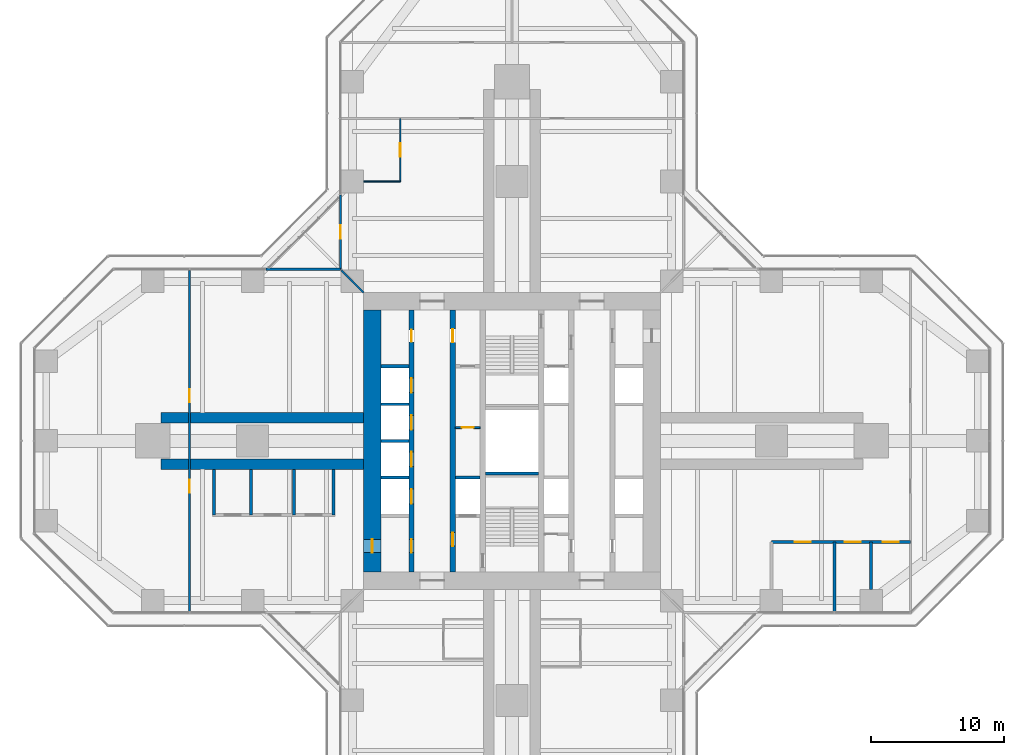
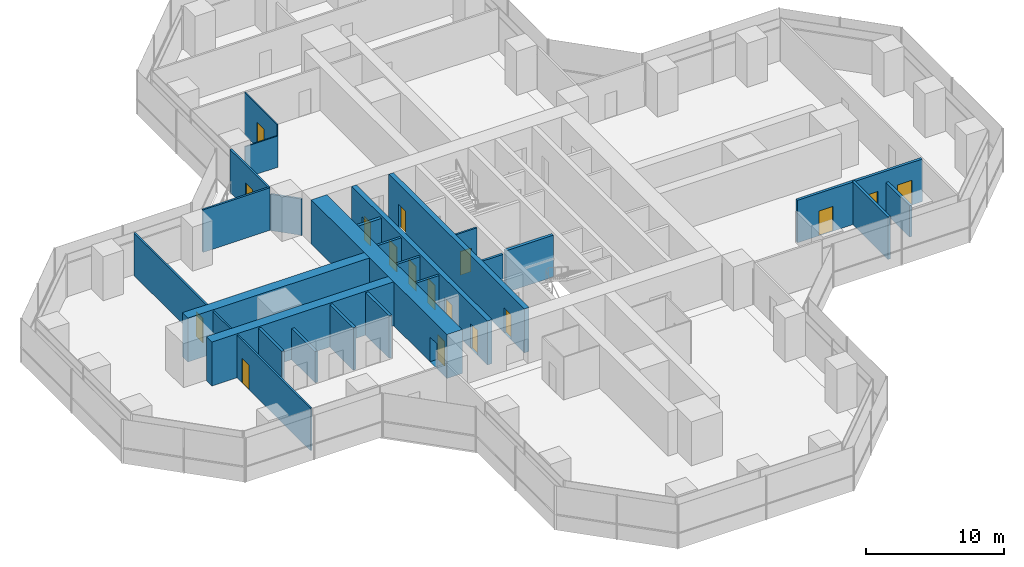
# One storey, part 18 of 22: 25 walls, 17 doors, 17 openings.
"""IFC4 building model written with IfcOpenShell, lengths in metres."""

from ifc_helpers import new_model, si_unit, direction, frame, frame_2d, origin, place, context, subcontext, project, spatial, rectangle, extrude, material, layer, layer_set, type_object, element, fill, save


model = new_model("IFC4")

# Units and contexts
model_context = context("Model", 3, precision=1e-05, world=origin(), true_north=direction((0.0, 1.0)))
body_context = subcontext(model_context, "Body", "Model", "MODEL_VIEW")
ifc_project = project(units=[si_unit("LENGTHUNIT", "METRE"), si_unit("AREAUNIT", "SQUARE_METRE"), si_unit("VOLUMEUNIT", "CUBIC_METRE"), si_unit("PLANEANGLEUNIT", "RADIAN"), si_unit("MASSUNIT", "GRAM", prefix="KILO")], contexts=[model_context])

# Site, building, storey
site_placement = place(None, origin())
site = spatial("IfcSite", under=ifc_project, at=site_placement, CompositionType="ELEMENT")
building_placement = place(site_placement, origin())
building = spatial("IfcBuilding", under=site, at=building_placement, Name="Mizan Broadcast Tower", CompositionType="ELEMENT")
storey_placement = place(building_placement, frame((0.0, 0.0, 43.5)))
storey = spatial("IfcBuildingStorey", under=building, at=storey_placement, Name="L07", CompositionType="ELEMENT", Elevation=43.5)

# Wall, openings, doors
ifc_material_1 = material(Name="Concrete C70/85", Category="concrete")
ifc_layer_1 = layer(ifc_material_1, 0.39990234375)
ifc_layer_set_1 = layer_set([ifc_layer_1], Name="Concrete C70/85")
wall_type_1 = type_object("IfcWallType", Name="CORE INTERNAL WALL 400", PredefinedType="SHEAR", material=ifc_layer_set_1)
wall_1_placement = place(storey_placement, frame((-7.550048828125, -9.85009765625, 0.0), z_axis=(0.0, 0.0, 1.0), x_axis=(0.0, 1.0, 0.0)))
wall_1 = element("IfcWall", 1, at=wall_1_placement, inside=storey, type_object=wall_type_1, Name="Core wall CORE/XW1", PredefinedType="SHEAR", context=body_context, shape_type="SweptSolid", body=[
    extrude(rectangle(XDim=19.7001953125, YDim=0.39990234375, at=frame_2d((9.85009765625, 0.0))), origin(), (0.0, 0.0, 1.0), 3.89990234375),
])
opening_1_placement = place(wall_1_placement, frame((1.449951171875, 0.0, 0.0)))
opening_1 = element("IfcOpeningElement", 2, at=opening_1_placement, cuts=wall_1, Name="Opening D10F", PredefinedType="OPENING", context=body_context, shape_type="SweptSolid", body=[
    extrude(rectangle(XDim=1.0, YDim=2.199951171875, at=frame_2d((0.5, 1.10009765625))), frame((0.0, 0.2099609375, 0.0), z_axis=(0.0, -1.0, 0.0), x_axis=(1.0, 0.0, 0.0)), (0.0, 0.0, 1.0), 0.419921875),
])
opening_2_placement = place(wall_1_placement, frame((17.300048828125, 0.0, 0.0)))
opening_2 = element("IfcOpeningElement", 3, at=opening_2_placement, cuts=wall_1, Name="Opening D09", PredefinedType="OPENING", context=body_context, shape_type="SweptSolid", body=[
    extrude(rectangle(XDim=0.89990234375, YDim=2.10009765625, at=frame_2d((0.449951171875, 1.050048828125))), frame((0.0, 0.2099609375, 0.0), z_axis=(0.0, -1.0, 0.0), x_axis=(1.0, 0.0, 0.0)), (0.0, 0.0, 1.0), 0.419921875),
])
opening_3_placement = place(wall_1_placement, frame((5.125, 0.0, 0.0)))
opening_3 = element("IfcOpeningElement", 4, at=opening_3_placement, cuts=wall_1, Name="Opening LD", PredefinedType="OPENING", context=body_context, shape_type="SweptSolid", body=[
    extrude(rectangle(XDim=1.10009765625, YDim=2.199951171875, at=frame_2d((0.550048828125, 1.10009765625))), frame((0.0, 0.2099609375, 0.0), z_axis=(0.0, -1.0, 0.0), x_axis=(1.0, 0.0, 0.0)), (0.0, 0.0, 1.0), 0.419921875),
])
opening_4_placement = place(wall_1_placement, frame((7.925048828125, 0.0, 0.0)))
opening_4 = element("IfcOpeningElement", 5, at=opening_4_placement, cuts=wall_1, Name="Opening LD", PredefinedType="OPENING", context=body_context, shape_type="SweptSolid", body=[
    extrude(rectangle(XDim=1.10009765625, YDim=2.199951171875, at=frame_2d((0.550048828125, 1.10009765625))), frame((0.0, 0.2099609375, 0.0), z_axis=(0.0, -1.0, 0.0), x_axis=(1.0, 0.0, 0.0)), (0.0, 0.0, 1.0), 0.419921875),
])
opening_5_placement = place(wall_1_placement, frame((10.675048828125, 0.0, 0.0)))
opening_5 = element("IfcOpeningElement", 6, at=opening_5_placement, cuts=wall_1, Name="Opening LD", PredefinedType="OPENING", context=body_context, shape_type="SweptSolid", body=[
    extrude(rectangle(XDim=1.10009765625, YDim=2.199951171875, at=frame_2d((0.550048828125, 1.10009765625))), frame((0.0, 0.2099609375, 0.0), z_axis=(0.0, -1.0, 0.0), x_axis=(1.0, 0.0, 0.0)), (0.0, 0.0, 1.0), 0.419921875),
])
opening_6_placement = place(wall_1_placement, frame((13.47509765625, 0.0, 0.0)))
opening_6 = element("IfcOpeningElement", 7, at=opening_6_placement, cuts=wall_1, Name="Opening LD", PredefinedType="OPENING", context=body_context, shape_type="SweptSolid", body=[
    extrude(rectangle(XDim=1.10009765625, YDim=2.199951171875, at=frame_2d((0.550048828125, 1.10009765625))), frame((0.0, 0.2099609375, 0.0), z_axis=(0.0, -1.0, 0.0), x_axis=(1.0, 0.0, 0.0)), (0.0, 0.0, 1.0), 0.419921875),
])
ifc_material_2 = material(Name="Steel door leaf in steel frame", Category="steel")
door_type_1 = type_object("IfcDoorType", Name="FIRE DOOR 1000 FD90", OperationType="SINGLE_SWING_LEFT", PredefinedType="DOOR", material=ifc_material_2)
door_1_placement = place(opening_1_placement, origin())
door_1 = element("IfcDoor", 8, at=door_1_placement, inside=storey, type_object=door_type_1, Name="West core passage door", OperationType="SINGLE_SWING_LEFT", OverallHeight=2.199951171875, OverallWidth=1.0, PredefinedType="DOOR", context=body_context, shape_type="SweptSolid", body=[
    extrude(rectangle(XDim=1.0, YDim=2.199951171875, at=frame_2d((0.5, 1.10009765625))), frame((0.0, 0.02490234375, 0.0), z_axis=(0.0, -1.0, 0.0), x_axis=(1.0, 0.0, 0.0)), (0.0, 0.0, 1.0), 0.050048828125),
])
fill(opening_1, door_1)
ifc_material_3 = material(Name="Steel door leaf in steel frame", Category="steel")
door_type_2 = type_object("IfcDoorType", Name="LIFT LANDING DOOR 1100", OperationType="SLIDING_TO_LEFT", PredefinedType="DOOR", material=ifc_material_3)
door_2_placement = place(opening_3_placement, origin())
door_2 = element("IfcDoor", 9, at=door_2_placement, inside=storey, type_object=door_type_2, Name="Landing door LA1", OperationType="SLIDING_TO_LEFT", OverallHeight=2.199951171875, OverallWidth=1.10009765625, PredefinedType="DOOR", context=body_context, shape_type="SweptSolid", body=[
    extrude(rectangle(XDim=1.10009765625, YDim=2.199951171875, at=frame_2d((0.550048828125, 1.10009765625))), frame((0.0, 0.02490234375, 0.0), z_axis=(0.0, -1.0, 0.0), x_axis=(1.0, 0.0, 0.0)), (0.0, 0.0, 1.0), 0.050048828125),
])
fill(opening_3, door_2)
door_3_placement = place(opening_4_placement, origin())
door_3 = element("IfcDoor", 10, at=door_3_placement, inside=storey, type_object=door_type_2, Name="Landing door LA2", OperationType="SLIDING_TO_LEFT", OverallHeight=2.199951171875, OverallWidth=1.10009765625, PredefinedType="DOOR", context=body_context, shape_type="SweptSolid", body=[
    extrude(rectangle(XDim=1.10009765625, YDim=2.199951171875, at=frame_2d((0.550048828125, 1.10009765625))), frame((0.0, 0.02490234375, 0.0), z_axis=(0.0, -1.0, 0.0), x_axis=(1.0, 0.0, 0.0)), (0.0, 0.0, 1.0), 0.050048828125),
])
fill(opening_4, door_3)
door_4_placement = place(opening_5_placement, origin())
door_4 = element("IfcDoor", 11, at=door_4_placement, inside=storey, type_object=door_type_2, Name="Landing door LA3", OperationType="SLIDING_TO_LEFT", OverallHeight=2.199951171875, OverallWidth=1.10009765625, PredefinedType="DOOR", context=body_context, shape_type="SweptSolid", body=[
    extrude(rectangle(XDim=1.10009765625, YDim=2.199951171875, at=frame_2d((0.550048828125, 1.10009765625))), frame((0.0, 0.02490234375, 0.0), z_axis=(0.0, -1.0, 0.0), x_axis=(1.0, 0.0, 0.0)), (0.0, 0.0, 1.0), 0.050048828125),
])
fill(opening_5, door_4)
door_5_placement = place(opening_6_placement, origin())
door_5 = element("IfcDoor", 12, at=door_5_placement, inside=storey, type_object=door_type_2, Name="Landing door LA4", OperationType="SLIDING_TO_LEFT", OverallHeight=2.199951171875, OverallWidth=1.10009765625, PredefinedType="DOOR", context=body_context, shape_type="SweptSolid", body=[
    extrude(rectangle(XDim=1.10009765625, YDim=2.199951171875, at=frame_2d((0.550048828125, 1.10009765625))), frame((0.0, 0.02490234375, 0.0), z_axis=(0.0, -1.0, 0.0), x_axis=(1.0, 0.0, 0.0)), (0.0, 0.0, 1.0), 0.050048828125),
])
fill(opening_6, door_5)
ifc_material_4 = material(Name="Timber door leaf in aluminium frame", Category="wood")
door_type_3 = type_object("IfcDoorType", Name="TOILET DOOR 900", OperationType="SINGLE_SWING_LEFT", PredefinedType="DOOR", material=ifc_material_4)
door_6_placement = place(opening_2_placement, origin())
door_6 = element("IfcDoor", 13, at=door_6_placement, inside=storey, type_object=door_type_3, Name="Male WC door", OperationType="SINGLE_SWING_RIGHT", OverallHeight=2.10009765625, OverallWidth=0.89990234375, PredefinedType="DOOR", context=body_context, shape_type="SweptSolid", body=[
    extrude(rectangle(XDim=0.89990234375, YDim=2.10009765625, at=frame_2d((0.449951171875, 1.050048828125))), frame((0.0, 0.02490234375, 0.0), z_axis=(0.0, -1.0, 0.0), x_axis=(1.0, 0.0, 0.0)), (0.0, 0.0, 1.0), 0.050048828125),
])
fill(opening_2, door_6)

wall_2_placement = place(storey_placement, frame((-4.449951171875, -9.85009765625, 0.0), z_axis=(0.0, 0.0, 1.0), x_axis=(0.0, 1.0, 0.0)))
wall_2 = element("IfcWall", 14, at=wall_2_placement, inside=storey, type_object=wall_type_1, Name="Core wall CORE/XWH", PredefinedType="SHEAR", context=body_context, shape_type="SweptSolid", body=[
    extrude(rectangle(XDim=19.7001953125, YDim=0.39990234375, at=frame_2d((9.85009765625, 0.0))), origin(), (0.0, 0.0, 1.0), 3.89990234375),
])
opening_7_placement = place(wall_2_placement, frame((1.949951171875, 0.0, 0.0)))
opening_7 = element("IfcOpeningElement", 15, at=opening_7_placement, cuts=wall_2, Name="Opening D10F", PredefinedType="OPENING", context=body_context, shape_type="SweptSolid", body=[
    extrude(rectangle(XDim=1.0, YDim=2.199951171875, at=frame_2d((0.5, 1.10009765625))), frame((0.0, 0.2099609375, 0.0), z_axis=(0.0, -1.0, 0.0), x_axis=(1.0, 0.0, 0.0)), (0.0, 0.0, 1.0), 0.419921875),
])
opening_8_placement = place(wall_2_placement, frame((17.25, 0.0, 0.0)))
opening_8 = element("IfcOpeningElement", 16, at=opening_8_placement, cuts=wall_2, Name="Opening D10A", PredefinedType="OPENING", context=body_context, shape_type="SweptSolid", body=[
    extrude(rectangle(XDim=1.0, YDim=2.10009765625, at=frame_2d((0.5, 1.050048828125))), frame((0.0, 0.2099609375, 0.0), z_axis=(0.0, -1.0, 0.0), x_axis=(1.0, 0.0, 0.0)), (0.0, 0.0, 1.0), 0.419921875),
])
ifc_material_5 = material(Name="Timber door leaf in aluminium frame", Category="wood")
door_type_4 = type_object("IfcDoorType", Name="ACCESSIBLE WC DOOR 1000", OperationType="SLIDING_TO_LEFT", PredefinedType="DOOR", material=ifc_material_5)
door_7_placement = place(opening_8_placement, origin())
door_7 = element("IfcDoor", 17, at=door_7_placement, inside=storey, type_object=door_type_4, Name="Accessible WC door", OperationType="SLIDING_TO_LEFT", OverallHeight=2.10009765625, OverallWidth=1.0, PredefinedType="DOOR", context=body_context, shape_type="SweptSolid", body=[
    extrude(rectangle(XDim=1.0, YDim=2.10009765625, at=frame_2d((0.5, 1.050048828125))), frame((0.0, 0.02490234375, 0.0), z_axis=(0.0, -1.0, 0.0), x_axis=(1.0, 0.0, 0.0)), (0.0, 0.0, 1.0), 0.050048828125),
])
fill(opening_8, door_7)
door_8_placement = place(opening_7_placement, origin())
door_8 = element("IfcDoor", 18, at=door_8_placement, inside=storey, type_object=door_type_1, Name="Firefighting lobby A door", OperationType="SINGLE_SWING_LEFT", OverallHeight=2.199951171875, OverallWidth=1.0, PredefinedType="DOOR", context=body_context, shape_type="SweptSolid", body=[
    extrude(rectangle(XDim=1.0, YDim=2.199951171875, at=frame_2d((0.5, 1.10009765625))), frame((0.0, 0.02490234375, 0.0), z_axis=(0.0, -1.0, 0.0), x_axis=(1.0, 0.0, 0.0)), (0.0, 0.0, 1.0), 0.050048828125),
])
fill(opening_7, door_8)

# Wall, opening, door
ifc_material_6 = material(Name="Concrete blockwork", Category="masonry")
ifc_layer_2 = layer(ifc_material_6, 0.14990234375)
ifc_layer_set_2 = layer_set([ifc_layer_2], Name="Concrete blockwork")
wall_type_2 = type_object("IfcWallType", Name="CORE PARTITION 150", PredefinedType="SOLIDWALL", material=ifc_layer_set_2)
wall_3_placement = place(storey_placement, frame((-4.25, 1.0, 0.0), z_axis=(0.0, 0.0, 1.0), x_axis=(1.0, 0.0, 0.0)))
wall_3 = element("IfcWall", 19, at=wall_3_placement, inside=storey, type_object=wall_type_2, Name="Core partition CORE/XP2", PredefinedType="SOLIDWALL", context=body_context, shape_type="SweptSolid", body=[
    extrude(rectangle(XDim=1.85009765625, YDim=0.14990234375, at=frame_2d((0.925048828125, 0.0))), origin(), (0.0, 0.0, 1.0), 3.77001953125),
])
opening_9_placement = place(wall_3_placement, frame((0.47509765625, 0.0, 0.0)))
opening_9 = element("IfcOpeningElement", 20, at=opening_9_placement, cuts=wall_3, Name="Opening D09F", PredefinedType="OPENING", context=body_context, shape_type="SweptSolid", body=[
    extrude(rectangle(XDim=0.89990234375, YDim=2.10009765625, at=frame_2d((0.449951171875, 1.050048828125))), frame((0.0, 0.0849609375, 0.0), z_axis=(0.0, -1.0, 0.0), x_axis=(1.0, 0.0, 0.0)), (0.0, 0.0, 1.0), 0.169921875),
])
ifc_material_7 = material(Name="Steel door leaf in steel frame", Category="steel")
door_type_5 = type_object("IfcDoorType", Name="CORE ROOM DOOR 900 FD90", OperationType="SINGLE_SWING_LEFT", PredefinedType="DOOR", material=ifc_material_7)
door_9_placement = place(opening_9_placement, origin())
door_9 = element("IfcDoor", 21, at=door_9_placement, inside=storey, type_object=door_type_5, Name="Staff shower room door", OperationType="SINGLE_SWING_RIGHT", OverallHeight=2.10009765625, OverallWidth=0.89990234375, PredefinedType="DOOR", context=body_context, shape_type="SweptSolid", body=[
    extrude(rectangle(XDim=0.89990234375, YDim=2.10009765625, at=frame_2d((0.449951171875, 1.050048828125))), frame((0.0, 0.02490234375, 0.0), z_axis=(0.0, -1.0, 0.0), x_axis=(1.0, 0.0, 0.0)), (0.0, 0.0, 1.0), 0.050048828125),
])
fill(opening_9, door_9)

ifc_material_8 = material(Name="Concrete C70/85", Category="concrete")
ifc_layer_3 = layer(ifc_material_8, 1.300048828125)
ifc_layer_set_3 = layer_set([ifc_layer_3], Name="Concrete C70/85")
wall_type_3 = type_object("IfcWallType", Name="CORE WALL 1300", PredefinedType="SHEAR", material=ifc_layer_set_3)
wall_4_placement = place(storey_placement, frame((-10.5, 9.85009765625, 0.0), z_axis=(0.0, 0.0, 1.0), x_axis=(0.0, -1.0, 0.0)))
wall_4 = element("IfcWall", 22, at=wall_4_placement, inside=storey, type_object=wall_type_3, Name="Core wall W L07", PredefinedType="SHEAR", context=body_context, shape_type="SweptSolid", body=[
    extrude(rectangle(XDim=19.7001953125, YDim=1.300048828125, at=frame_2d((9.85009765625, 0.0))), origin(), (0.0, 0.0, 1.0), 3.89990234375),
])
opening_10_placement = place(wall_4_placement, frame((17.25, 0.0, 0.0)))
opening_10 = element("IfcOpeningElement", 23, at=opening_10_placement, cuts=wall_4, Name="Opening D10F", PredefinedType="OPENING", context=body_context, shape_type="SweptSolid", body=[
    extrude(rectangle(XDim=1.0, YDim=2.199951171875, at=frame_2d((0.5, 1.10009765625))), frame((0.0, 0.659912109375, 0.0), z_axis=(0.0, -1.0, 0.0), x_axis=(1.0, 0.0, 0.0)), (0.0, 0.0, 1.0), 1.320068359375),
])
door_10_placement = place(opening_10_placement, origin())
door_10 = element("IfcDoor", 24, at=door_10_placement, inside=storey, type_object=door_type_1, Name="West core passage arm door", OperationType="SINGLE_SWING_RIGHT", OverallHeight=2.199951171875, OverallWidth=1.0, PredefinedType="DOOR", context=body_context, shape_type="SweptSolid", body=[
    extrude(rectangle(XDim=1.0, YDim=2.199951171875, at=frame_2d((0.5, 1.10009765625))), frame((0.0, 0.02490234375, 0.0), z_axis=(0.0, -1.0, 0.0), x_axis=(1.0, 0.0, 0.0)), (0.0, 0.0, 1.0), 0.050048828125),
])
fill(opening_10, door_10)

ifc_material_9 = material(Name="Aluminium framed glazed screen", Category="aluminium")
ifc_layer_4 = layer(ifc_material_9, 0.159912109375)
ifc_layer_set_4 = layer_set([ifc_layer_4], Name="Aluminium framed glazed screen")
wall_type_4 = type_object("IfcWallType", Name="GLAZED SCREEN WALL 160", PredefinedType="SOLIDWALL", material=ifc_layer_set_4)
wall_5_placement = place(storey_placement, frame((-12.89990234375, 18.5, 0.0), z_axis=(0.0, 0.0, 1.0), x_axis=(0.0, -1.0, 0.0)))
wall_5 = element("IfcWall", 25, at=wall_5_placement, inside=storey, type_object=wall_type_4, Name="Winter garden screen L07 N", PredefinedType="SOLIDWALL", context=body_context, shape_type="SweptSolid", body=[
    extrude(rectangle(XDim=5.60009765625, YDim=0.159912109375, at=frame_2d((2.800048828125, 0.0))), origin(), (0.0, 0.0, 1.0), 3.77001953125),
])
opening_11_placement = place(wall_5_placement, frame((2.300048828125, 0.0, 0.0)))
opening_11 = element("IfcOpeningElement", 26, at=opening_11_placement, cuts=wall_5, Name="Opening WGD", PredefinedType="OPENING", context=body_context, shape_type="SweptSolid", body=[
    extrude(rectangle(XDim=1.0, YDim=2.199951171875, at=frame_2d((0.5, 1.10009765625))), frame((0.0, 0.08984375, 0.0), z_axis=(0.0, -1.0, 0.0), x_axis=(1.0, 0.0, 0.0)), (0.0, 0.0, 1.0), 0.179931640625),
])
ifc_material_10 = material(Name="Aluminium framed glazed door", Category="aluminium")
door_type_6 = type_object("IfcDoorType", Name="WINTER GARDEN DOOR 1000 GLAZED", OperationType="SINGLE_SWING_LEFT", PredefinedType="DOOR", material=ifc_material_10)
door_11_placement = place(opening_11_placement, origin())
door_11 = element("IfcDoor", 27, at=door_11_placement, inside=storey, type_object=door_type_6, Name="Winter garden door L07 N", OperationType="SINGLE_SWING_RIGHT", OverallHeight=2.199951171875, OverallWidth=1.0, PredefinedType="DOOR", context=body_context, shape_type="SweptSolid", body=[
    extrude(rectangle(XDim=1.0, YDim=2.199951171875, at=frame_2d((0.5, 1.10009765625))), frame((0.0, 0.02490234375, 0.0), z_axis=(0.0, -1.0, 0.0), x_axis=(1.0, 0.0, 0.0)), (0.0, 0.0, 1.0), 0.050048828125),
])
fill(opening_11, door_11)

# Walls
wall_6_placement = place(storey_placement, frame((-12.89990234375, 12.89990234375, 0.0), z_axis=(0.0, 0.0, 1.0), x_axis=(-1.0, 0.0, 0.0)))
element("IfcWall", 28, at=wall_6_placement, inside=storey, type_object=wall_type_4, Name="Winter garden screen L07 W", PredefinedType="SOLIDWALL", context=body_context, shape_type="SweptSolid", body=[
    extrude(rectangle(XDim=5.60009765625, YDim=0.159912109375, at=frame_2d((2.800048828125, 0.0))), origin(), (0.0, 0.0, 1.0), 3.77001953125),
])
ifc_material_11 = material(Name="Concrete blockwork", Category="masonry")
ifc_layer_5 = layer(ifc_material_11, 0.199951171875)
ifc_layer_set_5 = layer_set([ifc_layer_5], Name="Concrete blockwork")
wall_type_5 = type_object("IfcWallType", Name="LIFT SHAFT WALL 200", PredefinedType="SOLIDWALL", material=ifc_layer_set_5)
wall_7_placement = place(storey_placement, frame((-9.85009765625, -2.75, 0.0), z_axis=(0.0, 0.0, 1.0), x_axis=(1.0, 0.0, 0.0)))
element("IfcWall", 29, at=wall_7_placement, inside=storey, type_object=wall_type_5, Name="Lift shaft wall CORE/SW1-1", PredefinedType="SOLIDWALL", context=body_context, shape_type="SweptSolid", body=[
    extrude(rectangle(XDim=2.10009765625, YDim=0.199951171875, at=frame_2d((1.050048828125, 0.0))), origin(), (0.0, 0.0, 1.0), 3.699951171875),
])
wall_8_placement = place(storey_placement, frame((-4.25, -2.75, 0.0), z_axis=(0.0, 0.0, 1.0), x_axis=(1.0, 0.0, 0.0)))
element("IfcWall", 30, at=wall_8_placement, inside=storey, type_object=wall_type_5, Name="Lift shaft wall CORE/SW2-1", PredefinedType="SOLIDWALL", context=body_context, shape_type="SweptSolid", body=[
    extrude(rectangle(XDim=1.85009765625, YDim=0.199951171875, at=frame_2d((0.925048828125, 0.0))), origin(), (0.0, 0.0, 1.0), 3.699951171875),
])
for number, where, z_axis, x_axis, name in (
    (31, (-9.85009765625, 0.0, 0.0), (0.0, 0.0, 1.0), (1.0, 0.0, 0.0), "Lift shaft wall CORE/SW1-2"),
    (32, (-9.85009765625, 2.75, 0.0), (0.0, 0.0, 1.0), (1.0, 0.0, 0.0), "Lift shaft wall CORE/SW1-3"),
):
    element("IfcWall", number, at=place(storey_placement, frame(where, z_axis=z_axis, x_axis=x_axis)), inside=storey, type_object=wall_type_5, Name=name, PredefinedType="SOLIDWALL", context=body_context, shape_type="SweptSolid", body=[
        extrude(rectangle(XDim=2.10009765625, YDim=0.199951171875, at=frame_2d((1.050048828125, 0.0))), origin(), (0.0, 0.0, 1.0), 3.699951171875),
    ])
ifc_material_12 = material(Name="Concrete blockwork", Category="masonry")
ifc_layer_6 = layer(ifc_material_12, 0.25)
ifc_layer_set_6 = layer_set([ifc_layer_6], Name="Concrete blockwork")
wall_type_6 = type_object("IfcWallType", Name="LOBBY ENCLOSURE WALL 250", PredefinedType="SOLIDWALL", material=ifc_layer_set_6)
wall_9_placement = place(storey_placement, frame((-9.85009765625, 5.625, 0.0), z_axis=(0.0, 0.0, 1.0), x_axis=(1.0, 0.0, 0.0)))
element("IfcWall", 33, at=wall_9_placement, inside=storey, type_object=wall_type_6, Name="Lobby enclosure wall CORE/BW1N", PredefinedType="SOLIDWALL", context=body_context, shape_type="SweptSolid", body=[
    extrude(rectangle(XDim=2.10009765625, YDim=0.25, at=frame_2d((1.050048828125, 0.0))), origin(), (0.0, 0.0, 1.0), 3.699951171875),
])
wall_10_placement = place(storey_placement, frame((-2.0, -2.449951171875, 0.0), z_axis=(0.0, 0.0, 1.0), x_axis=(1.0, 0.0, 0.0)))
element("IfcWall", 34, at=wall_10_placement, inside=storey, type_object=wall_type_6, Name="Lobby enclosure wall CORE/STA", PredefinedType="SOLIDWALL", context=body_context, shape_type="SweptSolid", body=[
    extrude(rectangle(XDim=4.0, YDim=0.25, at=frame_2d((2.0, 0.0))), origin(), (0.0, 0.0, 1.0), 3.699951171875),
])

# Wall, openings, doors
ifc_material_13 = material(Name="Gypsum board on steel studs", Category="steel")
ifc_layer_7 = layer(ifc_material_13, 0.14990234375)
ifc_layer_set_7 = layer_set([ifc_layer_7], Name="Gypsum board on steel studs")
wall_type_7 = type_object("IfcWallType", Name="PARTITION 150", PredefinedType="PARTITIONING", material=ifc_layer_set_7)
wall_11_placement = place(storey_placement, frame((-24.22900390625, 12.820068359375, 0.0), z_axis=(0.0, 0.0, 1.0), x_axis=(0.0, -1.0, 0.0)))
wall_11 = element("IfcWall", 35, at=wall_11_placement, inside=storey, type_object=wall_type_7, Name="Partition PT/WX1", PredefinedType="PARTITIONING", context=body_context, shape_type="SweptSolid", body=[
    extrude(rectangle(XDim=25.64013671875, YDim=0.14990234375, at=frame_2d((12.820068359375, 0.0))), origin(), (0.0, 0.0, 1.0), 3.77001953125),
])
opening_12_placement = place(wall_11_placement, frame((15.719970703125, 0.0, 0.0)))
opening_12 = element("IfcOpeningElement", 36, at=opening_12_placement, cuts=wall_11, Name="Opening D10", PredefinedType="OPENING", context=body_context, shape_type="SweptSolid", body=[
    extrude(rectangle(XDim=1.0, YDim=2.199951171875, at=frame_2d((0.5, 1.10009765625))), frame((0.0, 0.0849609375, 0.0), z_axis=(0.0, -1.0, 0.0), x_axis=(1.0, 0.0, 0.0)), (0.0, 0.0, 1.0), 0.169921875),
])
opening_13_placement = place(wall_11_placement, frame((8.919921875, 0.0, 0.0)))
opening_13 = element("IfcOpeningElement", 37, at=opening_13_placement, cuts=wall_11, Name="Opening D10", PredefinedType="OPENING", context=body_context, shape_type="SweptSolid", body=[
    extrude(rectangle(XDim=1.0, YDim=2.199951171875, at=frame_2d((0.5, 1.10009765625))), frame((0.0, 0.0849609375, 0.0), z_axis=(0.0, -1.0, 0.0), x_axis=(1.0, 0.0, 0.0)), (0.0, 0.0, 1.0), 0.169921875),
])
ifc_material_14 = material(Name="Timber door leaf in aluminium frame", Category="wood")
door_type_7 = type_object("IfcDoorType", Name="ROOM DOOR 1000", OperationType="SINGLE_SWING_LEFT", PredefinedType="DOOR", material=ifc_material_14)
door_12_placement = place(opening_12_placement, origin())
door_12 = element("IfcDoor", 38, at=door_12_placement, inside=storey, type_object=door_type_7, Name="Edit suite area door", OperationType="SINGLE_SWING_RIGHT", OverallHeight=2.199951171875, OverallWidth=1.0, PredefinedType="DOOR", context=body_context, shape_type="SweptSolid", body=[
    extrude(rectangle(XDim=1.0, YDim=2.199951171875, at=frame_2d((0.5, 1.10009765625))), frame((0.0, 0.02490234375, 0.0), z_axis=(0.0, -1.0, 0.0), x_axis=(1.0, 0.0, 0.0)), (0.0, 0.0, 1.0), 0.050048828125),
])
fill(opening_12, door_12)
door_13_placement = place(opening_13_placement, origin())
door_13 = element("IfcDoor", 39, at=door_13_placement, inside=storey, type_object=door_type_7, Name="Edit suite area door", OperationType="SINGLE_SWING_LEFT", OverallHeight=2.199951171875, OverallWidth=1.0, PredefinedType="DOOR", context=body_context, shape_type="SweptSolid", body=[
    extrude(rectangle(XDim=1.0, YDim=2.199951171875, at=frame_2d((0.5, 1.10009765625))), frame((0.0, 0.02490234375, 0.0), z_axis=(0.0, -1.0, 0.0), x_axis=(1.0, 0.0, 0.0)), (0.0, 0.0, 1.0), 0.050048828125),
])
fill(opening_13, door_13)

# Wall
wall_12_placement = place(storey_placement, frame((-11.14990234375, 11.14990234375, 0.0), z_axis=(0.0, 0.0, 1.0), x_axis=(-0.707106781187, 0.707106781187, 0.0)))
element("IfcWall", 40, at=wall_12_placement, inside=storey, type_object=wall_type_7, Name="Partition PT/DGWN", PredefinedType="PARTITIONING", context=body_context, shape_type="SweptSolid", body=[
    extrude(rectangle(XDim=2.362060546875, YDim=0.14990234375, at=frame_2d((1.18115234375, 0.0))), origin(), (0.0, 0.0, 1.0), 3.219970703125),
])

# Wall, openings, doors
ifc_material_15 = material(Name="Twin steel stud acoustic partition, four layers of gypsum board", Category="steel")
ifc_layer_8 = layer(ifc_material_15, 0.22509765625)
ifc_layer_set_8 = layer_set([ifc_layer_8], Name="Twin steel stud acoustic partition, four layers of gypsum board")
wall_type_8 = type_object("IfcWallType", Name="PARTITION ACOUSTIC 225", PredefinedType="PARTITIONING", material=ifc_layer_set_8)
wall_13_placement = place(storey_placement, frame((19.5, -7.60009765625, 0.0), z_axis=(0.0, 0.0, 1.0), x_axis=(1.0, 0.0, 0.0)))
wall_13 = element("IfcWall", 41, at=wall_13_placement, inside=storey, type_object=wall_type_8, Name="Acoustic partition PT/ECN0", PredefinedType="PARTITIONING", context=body_context, shape_type="SweptSolid", body=[
    extrude(rectangle(XDim=10.458984375, YDim=0.22509765625, at=frame_2d((5.2294921875, 0.0))), origin(), (0.0, 0.0, 1.0), 3.77001953125),
])
opening_14_placement = place(wall_13_placement, frame((1.764404296875, 0.0, 0.0)))
opening_14 = element("IfcOpeningElement", 42, at=opening_14_placement, cuts=wall_13, Name="Opening D12A", PredefinedType="OPENING", context=body_context, shape_type="SweptSolid", body=[
    extrude(rectangle(XDim=1.199951171875, YDim=2.199951171875, at=frame_2d((0.60009765625, 1.10009765625))), frame((0.0, 0.12255859375, 0.0), z_axis=(0.0, -1.0, 0.0), x_axis=(1.0, 0.0, 0.0)), (0.0, 0.0, 1.0), 0.2451171875),
])
opening_15_placement = place(wall_13_placement, frame((5.514404296875, 0.0, 0.0)))
opening_15 = element("IfcOpeningElement", 43, at=opening_15_placement, cuts=wall_13, Name="Opening D12A", PredefinedType="OPENING", context=body_context, shape_type="SweptSolid", body=[
    extrude(rectangle(XDim=1.199951171875, YDim=2.199951171875, at=frame_2d((0.60009765625, 1.10009765625))), frame((0.0, 0.12255859375, 0.0), z_axis=(0.0, -1.0, 0.0), x_axis=(1.0, 0.0, 0.0)), (0.0, 0.0, 1.0), 0.2451171875),
])
opening_16_placement = place(wall_13_placement, frame((8.37939453125, 0.0, 0.0)))
opening_16 = element("IfcOpeningElement", 44, at=opening_16_placement, cuts=wall_13, Name="Opening D12A", PredefinedType="OPENING", context=body_context, shape_type="SweptSolid", body=[
    extrude(rectangle(XDim=1.199951171875, YDim=2.199951171875, at=frame_2d((0.60009765625, 1.10009765625))), frame((0.0, 0.12255859375, 0.0), z_axis=(0.0, -1.0, 0.0), x_axis=(1.0, 0.0, 0.0)), (0.0, 0.0, 1.0), 0.2451171875),
])
ifc_material_16 = material(Name="Timber door leaf in aluminium frame", Category="wood")
door_type_8 = type_object("IfcDoorType", Name="ACOUSTIC DOOR 1200", OperationType="SINGLE_SWING_LEFT", PredefinedType="DOOR", material=ifc_material_16)
door_14_placement = place(opening_14_placement, origin())
door_14 = element("IfcDoor", 45, at=door_14_placement, inside=storey, type_object=door_type_8, Name="Editor's office door", OperationType="SINGLE_SWING_LEFT", OverallHeight=2.199951171875, OverallWidth=1.199951171875, PredefinedType="DOOR", context=body_context, shape_type="SweptSolid", body=[
    extrude(rectangle(XDim=1.199951171875, YDim=2.199951171875, at=frame_2d((0.60009765625, 1.10009765625))), frame((0.0, 0.02490234375, 0.0), z_axis=(0.0, -1.0, 0.0), x_axis=(1.0, 0.0, 0.0)), (0.0, 0.0, 1.0), 0.050048828125),
])
fill(opening_14, door_14)
door_15_placement = place(opening_15_placement, origin())
door_15 = element("IfcDoor", 46, at=door_15_placement, inside=storey, type_object=door_type_8, Name="Editor's office door", OperationType="SINGLE_SWING_RIGHT", OverallHeight=2.199951171875, OverallWidth=1.199951171875, PredefinedType="DOOR", context=body_context, shape_type="SweptSolid", body=[
    extrude(rectangle(XDim=1.199951171875, YDim=2.199951171875, at=frame_2d((0.60009765625, 1.10009765625))), frame((0.0, 0.02490234375, 0.0), z_axis=(0.0, -1.0, 0.0), x_axis=(1.0, 0.0, 0.0)), (0.0, 0.0, 1.0), 0.050048828125),
])
fill(opening_15, door_15)
door_16_placement = place(opening_16_placement, origin())
door_16 = element("IfcDoor", 47, at=door_16_placement, inside=storey, type_object=door_type_8, Name="Editor's office door", OperationType="SINGLE_SWING_RIGHT", OverallHeight=2.199951171875, OverallWidth=1.199951171875, PredefinedType="DOOR", context=body_context, shape_type="SweptSolid", body=[
    extrude(rectangle(XDim=1.199951171875, YDim=2.199951171875, at=frame_2d((0.60009765625, 1.10009765625))), frame((0.0, 0.02490234375, 0.0), z_axis=(0.0, -1.0, 0.0), x_axis=(1.0, 0.0, 0.0)), (0.0, 0.0, 1.0), 0.050048828125),
])
fill(opening_16, door_16)

# Walls
wall_14_placement = place(storey_placement, frame((24.22900390625, -7.60009765625, 0.0), z_axis=(0.0, 0.0, 1.0), x_axis=(0.0, -1.0, 0.0)))
element("IfcWall", 48, at=wall_14_placement, inside=storey, type_object=wall_type_8, Name="Acoustic partition PT/EQN2423", PredefinedType="PARTITIONING", context=body_context, shape_type="SweptSolid", body=[
    extrude(rectangle(XDim=5.219970703125, YDim=0.22509765625, at=frame_2d((2.60986328125, 0.0))), origin(), (0.0, 0.0, 1.0), 3.77001953125),
])
wall_15_placement = place(storey_placement, frame((27.0, -7.60009765625, 0.0), z_axis=(0.0, 0.0, 1.0), x_axis=(0.0, -1.0, 0.0)))
element("IfcWall", 49, at=wall_15_placement, inside=storey, type_object=wall_type_8, Name="Acoustic partition PT/EQN2700", PredefinedType="PARTITIONING", context=body_context, shape_type="SweptSolid", body=[
    extrude(rectangle(XDim=3.5498046875, YDim=0.22509765625, at=frame_2d((1.77490234375, 0.0))), origin(), (0.0, 0.0, 1.0), 2.77001953125),
])
for number, where, z_axis, x_axis, name in (
    (50, (-13.39990234375, -2.14990234375, 0.0), (0.0, 0.0, 1.0), (0.0, -1.0, 0.0), "Acoustic partition PT/WKP0a"),
    (51, (-16.39990234375, -2.14990234375, 0.0), (0.0, 0.0, 1.0), (0.0, -1.0, 0.0), "Acoustic partition PT/WKP0b"),
):
    element("IfcWall", number, at=place(storey_placement, frame(where, z_axis=z_axis, x_axis=x_axis)), inside=storey, type_object=wall_type_8, Name=name, PredefinedType="PARTITIONING", context=body_context, shape_type="SweptSolid", body=[
        extrude(rectangle(XDim=3.400146484375, YDim=0.22509765625, at=frame_2d((1.7001953125, 0.0))), origin(), (0.0, 0.0, 1.0), 3.77001953125),
    ])
wall_16_placement = place(storey_placement, frame((-19.60009765625, -2.14990234375, 0.0), z_axis=(0.0, 0.0, 1.0), x_axis=(0.0, -1.0, 0.0)))
element("IfcWall", 52, at=wall_16_placement, inside=storey, type_object=wall_type_8, Name="Acoustic partition PT/WKP1b", PredefinedType="PARTITIONING", context=body_context, shape_type="SweptSolid", body=[
    extrude(rectangle(XDim=3.400146484375, YDim=0.22509765625, at=frame_2d((1.7001953125, 0.0))), origin(), (0.0, 0.0, 1.0), 2.77001953125),
])
wall_17_placement = place(storey_placement, frame((-22.39990234375, -2.14990234375, 0.0), z_axis=(0.0, 0.0, 1.0), x_axis=(0.0, -1.0, 0.0)))
element("IfcWall", 53, at=wall_17_placement, inside=storey, type_object=wall_type_8, Name="Acoustic partition PT/WKP2b", PredefinedType="PARTITIONING", context=body_context, shape_type="SweptSolid", body=[
    extrude(rectangle(XDim=3.400146484375, YDim=0.22509765625, at=frame_2d((1.7001953125, 0.0))), origin(), (0.0, 0.0, 1.0), 3.77001953125),
])

# Wall, opening, door
ifc_material_17 = material(Name="Glazed aluminium partition on aluminium track", Category="aluminium")
ifc_layer_9 = layer(ifc_material_17, 0.10009765625)
ifc_layer_set_9 = layer_set([ifc_layer_9], Name="Glazed aluminium partition on aluminium track")
wall_type_9 = type_object("IfcWallType", Name="PARTITION GLAZED OFFICE FRONT 100", PredefinedType="PARTITIONING", material=ifc_layer_set_9)
wall_18_placement = place(storey_placement, frame((-8.39990234375, 19.5, 0.0), z_axis=(0.0, 0.0, 1.0), x_axis=(0.0, 1.0, 0.0)))
wall_18 = element("IfcWall", 54, at=wall_18_placement, inside=storey, type_object=wall_type_9, Name="Glazed office front PT/NCP0", PredefinedType="PARTITIONING", context=body_context, shape_type="SweptSolid", body=[
    extrude(rectangle(XDim=4.72900390625, YDim=0.10009765625, at=frame_2d((2.364501953125, 0.0))), origin(), (0.0, 0.0, 1.0), 3.77001953125),
])
opening_17_placement = place(wall_18_placement, frame((1.864501953125, 0.0, 0.0)))
opening_17 = element("IfcOpeningElement", 55, at=opening_17_placement, cuts=wall_18, Name="Opening D10O", PredefinedType="OPENING", context=body_context, shape_type="SweptSolid", body=[
    extrude(rectangle(XDim=1.0, YDim=2.199951171875, at=frame_2d((0.5, 1.10009765625))), frame((0.0, 0.06005859375, 0.0), z_axis=(0.0, -1.0, 0.0), x_axis=(1.0, 0.0, 0.0)), (0.0, 0.0, 1.0), 0.1201171875),
])
ifc_material_18 = material(Name="Timber door leaf in aluminium frame", Category="wood")
door_type_9 = type_object("IfcDoorType", Name="OFFICE DOOR 1000 GLAZED", OperationType="SINGLE_SWING_LEFT", PredefinedType="DOOR", material=ifc_material_18)
door_17_placement = place(opening_17_placement, origin())
door_17 = element("IfcDoor", 56, at=door_17_placement, inside=storey, type_object=door_type_9, Name="Office door", OperationType="SINGLE_SWING_LEFT", OverallHeight=2.199951171875, OverallWidth=1.0, PredefinedType="DOOR", context=body_context, shape_type="SweptSolid", body=[
    extrude(rectangle(XDim=1.0, YDim=2.199951171875, at=frame_2d((0.5, 1.10009765625))), frame((0.0, 0.02490234375, 0.0), z_axis=(0.0, -1.0, 0.0), x_axis=(1.0, 0.0, 0.0)), (0.0, 0.0, 1.0), 0.050048828125),
])
fill(opening_17, door_17)

# Walls
wall_19_placement = place(storey_placement, frame((-8.39990234375, 19.5, 0.0), z_axis=(0.0, 0.0, 1.0), x_axis=(-1.0, 0.0, 0.0)))
element("IfcWall", 57, at=wall_19_placement, inside=storey, type_object=wall_type_9, Name="Glazed office front PT/NQP1950", PredefinedType="PARTITIONING", context=body_context, shape_type="SweptSolid", body=[
    extrude(rectangle(XDim=2.75, YDim=0.10009765625, at=frame_2d((1.375, 0.0))), origin(), (0.0, 0.0, 1.0), 2.77001953125),
])
ifc_material_19 = material(Name="Concrete C70/85", Category="concrete")
ifc_layer_10 = layer(ifc_material_19, 0.800048828125)
ifc_layer_set_10 = layer_set([ifc_layer_10], Name="Concrete C70/85")
wall_type_10 = type_object("IfcWallType", Name="SPINE WALL 800", PredefinedType="SHEAR", material=ifc_layer_set_10)
for number, where, z_axis, x_axis, name in (
    (58, (-11.14990234375, 1.75, 0.0), (0.0, 0.0, 1.0), (-1.0, 0.0, 0.0), "Spine wall WR L07"),
    (59, (-11.14990234375, -1.75, 0.0), (0.0, 0.0, 1.0), (-1.0, 0.0, 0.0), "Spine wall WL L07"),
):
    element("IfcWall", number, at=place(storey_placement, frame(where, z_axis=z_axis, x_axis=x_axis)), inside=storey, type_object=wall_type_10, Name=name, PredefinedType="SHEAR", context=body_context, shape_type="SweptSolid", body=[
        extrude(rectangle(XDim=15.25, YDim=0.800048828125, at=frame_2d((7.625, 0.0))), origin(), (0.0, 0.0, 1.0), 3.89990234375),
    ])

save(model, "model.ifc")
